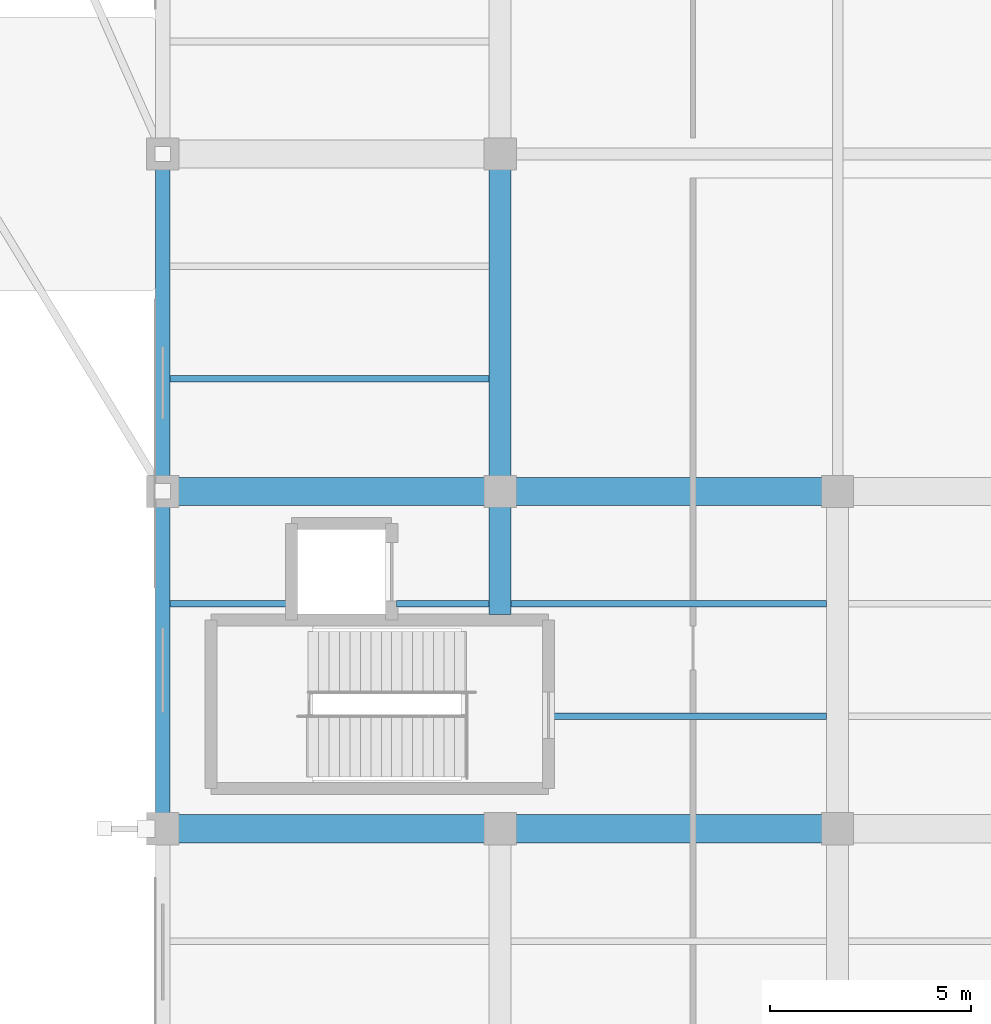
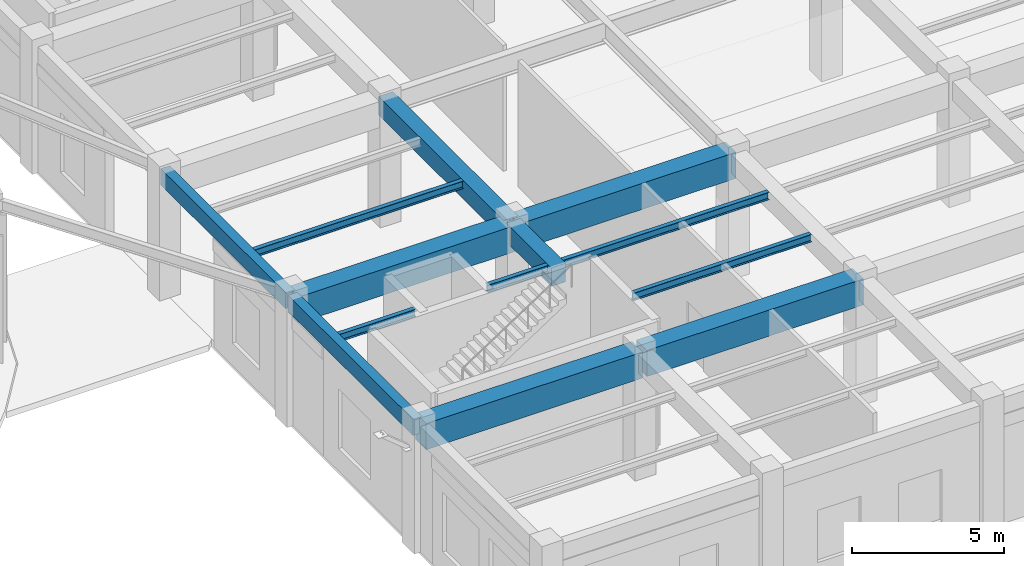
# One storey, part 96 of 157: 13 beams.
"""IFC4 building model written with IfcOpenShell, lengths in metres."""

from ifc_helpers import new_model, si_unit, direction, frame, origin, origin_2d, place, context, subcontext, project, spatial, rectangle, i_section, extrude, material, material_profile, profile_set, type_object, element, save


model = new_model("IFC4")

# Units and contexts
model_context = context("Model", 3, precision=1e-05, world=origin(), true_north=direction((0.0, 1.0)))
body_context = subcontext(model_context, "Body", "Model", "MODEL_VIEW")
ifc_project = project(units=[si_unit("LENGTHUNIT", "METRE"), si_unit("AREAUNIT", "SQUARE_METRE"), si_unit("VOLUMEUNIT", "CUBIC_METRE"), si_unit("PLANEANGLEUNIT", "RADIAN"), si_unit("MASSUNIT", "GRAM", prefix="KILO"), si_unit("THERMODYNAMICTEMPERATUREUNIT", "KELVIN"), si_unit("POWERUNIT", "WATT")], contexts=[model_context])

# Site, building, storey
site_placement = place(None, origin())
site = spatial("IfcSite", under=ifc_project, at=site_placement, CompositionType="ELEMENT")
building_placement = place(site_placement, origin())
building = spatial("IfcBuilding", under=site, at=building_placement, Name="Darbajah Civic Hall", CompositionType="ELEMENT")
storey_placement = place(building_placement, origin())
storey = spatial("IfcBuildingStorey", under=building, at=storey_placement, Name="L00", CompositionType="ELEMENT", Elevation=0.0)

# Beams
ifc_material_1 = material(Name="Concrete C45/55", Category="concrete")
ifc_material_profile_1 = material_profile(ifc_material_1, rectangle(XDim=0.550048828125, YDim=0.75, at=origin_2d()), Name="RC BEAM 550x750")
ifc_profile_set_1 = profile_set([ifc_material_profile_1], Name="Concrete C45/55")
beam_type_1 = type_object("IfcBeamType", Name="RC BEAM 550x750", PredefinedType="BEAM", material=ifc_profile_set_1)
beam_1_placement = place(storey_placement, frame((153.0, 70.139892578125, 4.68505859375), z_axis=(0.0, 1.0, 0.0), x_axis=(-1.0, 0.0, 0.0)))
element("IfcBeam", 1, at=beam_1_placement, inside=storey, type_object=beam_type_1, Name="L00 beam BM-5575", PredefinedType="BEAM", context=body_context, shape_type="SweptSolid", body=[
    extrude(rectangle(XDim=0.550048828125, YDim=0.75, at=origin_2d()), origin(), (0.0, 0.0, 1.0), 2.980224609375),
])
beam_2_placement = place(storey_placement, frame((153.0, 73.280029296875, 4.68505859375), z_axis=(0.0, 1.0, 0.0), x_axis=(-1.0, 0.0, 0.0)))
element("IfcBeam", 2, at=beam_2_placement, inside=storey, type_object=beam_type_1, Name="L00 beam BM-5575", PredefinedType="BEAM", context=body_context, shape_type="SweptSolid", body=[
    extrude(rectangle(XDim=0.550048828125, YDim=0.75, at=origin_2d()), origin(), (0.0, 0.0, 1.0), 8.239990234375),
])
ifc_material_2 = material(Name="Concrete C50/60", Category="concrete")
ifc_material_profile_2 = material_profile(ifc_material_2, rectangle(XDim=0.699951171875, YDim=1.050048828125, at=origin_2d()), Name="RC GIRDER 700x1050")
ifc_profile_set_2 = profile_set([ifc_material_profile_2], Name="Concrete C50/60")
beam_type_2 = type_object("IfcBeamType", Name="RC GIRDER 700x1050", PredefinedType="BEAM", material=ifc_profile_set_2)
for number, where, z_axis, x_axis, name in (
    (3, (144.679931640625, 64.800048828125, 4.534912109375), (1.0, 0.0, 0.0), (0.0, 1.0, 0.0), "L00 beam BG-7010"),
    (4, (153.080078125, 64.800048828125, 4.534912109375), (1.0, 0.0, 0.0), (0.0, 1.0, 0.0), "L00 beam BG-7010"),
    (5, (144.679931640625, 73.199951171875, 4.534912109375), (1.0, 0.0, 0.0), (0.0, 1.0, 0.0), "L00 beam BG-7010"),
    (6, (153.080078125, 73.199951171875, 4.534912109375), (1.0, 0.0, 0.0), (0.0, 1.0, 0.0), "L00 beam BG-7010"),
):
    element("IfcBeam", number, at=place(storey_placement, frame(where, z_axis=z_axis, x_axis=x_axis)), inside=storey, type_object=beam_type_2, Name=name, PredefinedType="BEAM", context=body_context, shape_type="SweptSolid", body=[
        extrude(rectangle(XDim=0.699951171875, YDim=1.050048828125, at=origin_2d()), origin(), (0.0, 0.0, 1.0), 8.239990234375),
    ])
ifc_material_profile_3 = material_profile(ifc_material_1, rectangle(XDim=0.35009765625, YDim=0.64990234375, at=origin_2d()), Name="RC SPANDREL 350x650")
ifc_profile_set_3 = profile_set([ifc_material_profile_3], Name="Concrete C45/55")
beam_type_3 = type_object("IfcBeamType", Name="RC SPANDREL 350x650", PredefinedType="SPANDREL", material=ifc_profile_set_3)
beam_3_placement = place(storey_placement, frame((144.60009765625, 64.8798828125, 4.735107421875), z_axis=(0.0, 1.0, 0.0), x_axis=(-1.0, 0.0, 0.0)))
element("IfcBeam", 7, at=beam_3_placement, inside=storey, type_object=beam_type_3, Name="L00 beam SP-3565", PredefinedType="SPANDREL", context=body_context, shape_type="SweptSolid", body=[
    extrude(rectangle(XDim=0.35009765625, YDim=0.64990234375, at=origin_2d()), origin(), (0.0, 0.0, 1.0), 8.240234375),
])
beam_4_placement = place(storey_placement, frame((144.60009765625, 73.280029296875, 4.735107421875), z_axis=(0.0, 1.0, 0.0), x_axis=(-1.0, 0.0, 0.0)))
element("IfcBeam", 8, at=beam_4_placement, inside=storey, type_object=beam_type_3, Name="L00 beam SP-3565", PredefinedType="SPANDREL", context=body_context, shape_type="SweptSolid", body=[
    extrude(rectangle(XDim=0.35009765625, YDim=0.64990234375, at=origin_2d()), origin(), (0.0, 0.0, 1.0), 8.239990234375),
])
ifc_material_3 = material(Name="Steel S355JR", Category="steel")
ifc_material_profile_4 = material_profile(ifc_material_3, i_section(OverallWidth=0.165771484375, OverallDepth=0.306640625, WebThickness=0.006591796875, FlangeThickness=0.01171875, FilletRadius=0.0087890625, at=origin_2d()), Name="UB 305x165x46")
ifc_profile_set_4 = profile_set([ifc_material_profile_4], Name="Steel S355JR")
beam_type_4 = type_object("IfcBeamType", Name="UB 305x165x46", PredefinedType="JOIST", material=ifc_profile_set_4)
beam_5_placement = place(storey_placement, frame((144.77490234375, 70.39990234375, 4.90673828125), z_axis=(1.0, 0.0, 0.0), x_axis=(0.0, 1.0, 0.0)))
element("IfcBeam", 9, at=beam_5_placement, inside=storey, type_object=beam_type_4, Name="L00 beam SJ-305", PredefinedType="JOIST", context=body_context, shape_type="SweptSolid", body=[
    extrude(i_section(OverallWidth=0.165771484375, OverallDepth=0.306640625, WebThickness=0.006591796875, FlangeThickness=0.01171875, FilletRadius=0.0087890625, at=origin_2d()), origin(), (0.0, 0.0, 1.0), 2.905029296875),
])
beam_6_placement = place(storey_placement, frame((150.419921875, 70.39990234375, 4.90673828125), z_axis=(1.0, 0.0, 0.0), x_axis=(0.0, 1.0, 0.0)))
element("IfcBeam", 10, at=beam_6_placement, inside=storey, type_object=beam_type_4, Name="L00 beam SJ-305", PredefinedType="JOIST", context=body_context, shape_type="SweptSolid", body=[
    extrude(i_section(OverallWidth=0.165771484375, OverallDepth=0.306640625, WebThickness=0.006591796875, FlangeThickness=0.01171875, FilletRadius=0.0087890625, at=origin_2d()), origin(), (0.0, 0.0, 1.0), 2.30517578125),
])
beam_7_placement = place(storey_placement, frame((144.77490234375, 76.0, 4.90673828125), z_axis=(1.0, 0.0, 0.0), x_axis=(0.0, 1.0, 0.0)))
element("IfcBeam", 11, at=beam_7_placement, inside=storey, type_object=beam_type_4, Name="L00 beam SJ-305", PredefinedType="JOIST", context=body_context, shape_type="SweptSolid", body=[
    extrude(i_section(OverallWidth=0.165771484375, OverallDepth=0.306640625, WebThickness=0.006591796875, FlangeThickness=0.01171875, FilletRadius=0.0087890625, at=origin_2d()), origin(), (0.0, 0.0, 1.0), 7.9501953125),
])
beam_8_placement = place(storey_placement, frame((154.340087890625, 67.60009765625, 4.90673828125), z_axis=(1.0, 0.0, 0.0), x_axis=(0.0, 1.0, 0.0)))
element("IfcBeam", 12, at=beam_8_placement, inside=storey, type_object=beam_type_4, Name="L00 beam SJ-305", PredefinedType="JOIST", context=body_context, shape_type="SweptSolid", body=[
    extrude(i_section(OverallWidth=0.165771484375, OverallDepth=0.306640625, WebThickness=0.006591796875, FlangeThickness=0.01171875, FilletRadius=0.0087890625, at=origin_2d()), origin(), (0.0, 0.0, 1.0), 6.784912109375),
])
beam_9_placement = place(storey_placement, frame((153.27490234375, 70.39990234375, 4.90673828125), z_axis=(1.0, 0.0, 0.0), x_axis=(0.0, 1.0, 0.0)))
element("IfcBeam", 13, at=beam_9_placement, inside=storey, type_object=beam_type_4, Name="L00 beam SJ-305", PredefinedType="JOIST", context=body_context, shape_type="SweptSolid", body=[
    extrude(i_section(OverallWidth=0.165771484375, OverallDepth=0.306640625, WebThickness=0.006591796875, FlangeThickness=0.01171875, FilletRadius=0.0087890625, at=origin_2d()), origin(), (0.0, 0.0, 1.0), 7.85009765625),
])

save(model, "model.ifc")
